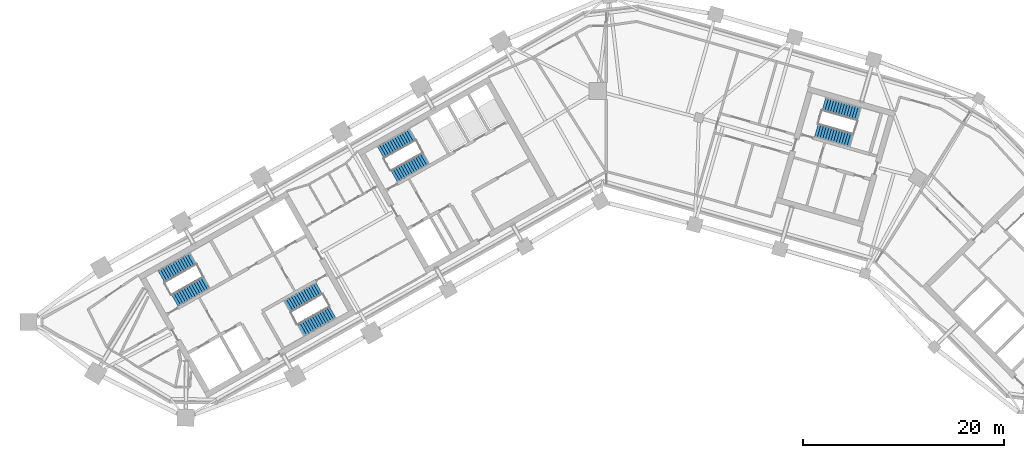
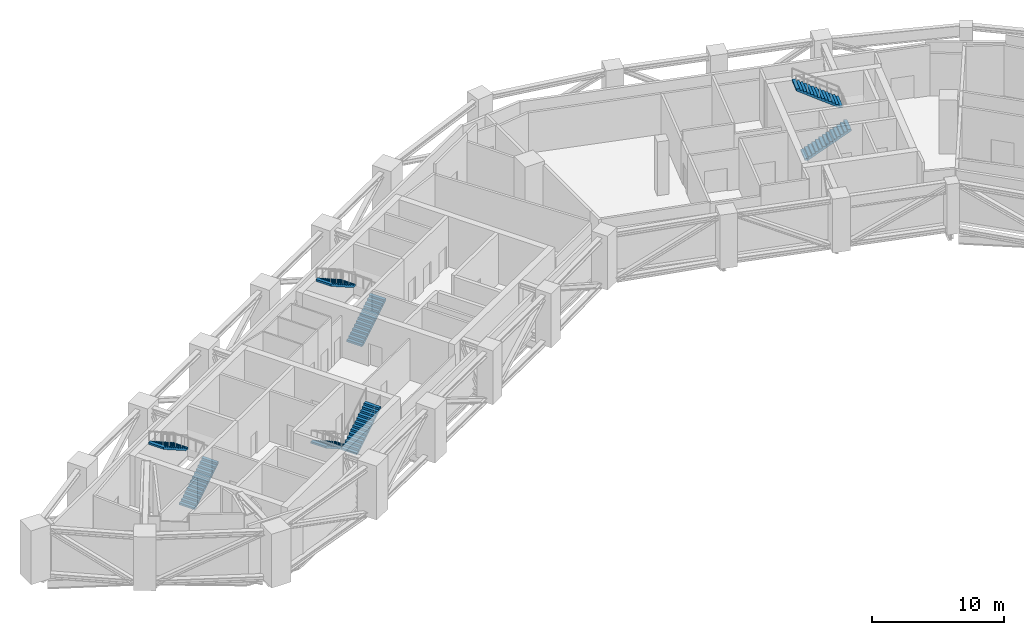
# One storey, part 14 of 16: 8 stair flights, 4 elements without a shape of their own.
"""IFC4 building model written with IfcOpenShell, lengths in metres."""

from ifc_helpers import new_model, si_unit, direction, frame, origin, place, context, subcontext, project, spatial, polyline, outline, extrude, material, type_object, element, aggregate, save


model = new_model("IFC4")

# Units and contexts
model_context = context("Model", 3, precision=1e-05, world=origin(), true_north=direction((0.0, 1.0)))
body_context = subcontext(model_context, "Body", "Model", "MODEL_VIEW")
ifc_project = project(units=[si_unit("LENGTHUNIT", "METRE"), si_unit("AREAUNIT", "SQUARE_METRE"), si_unit("VOLUMEUNIT", "CUBIC_METRE"), si_unit("PLANEANGLEUNIT", "RADIAN"), si_unit("MASSUNIT", "GRAM", prefix="KILO")], contexts=[model_context])

# Site, building, storey
site_placement = place(None, origin())
site = spatial("IfcSite", under=ifc_project, at=site_placement, CompositionType="ELEMENT")
building_placement = place(site_placement, origin())
building = spatial("IfcBuilding", under=site, at=building_placement, Name="Binnacle Exchange Tower", CompositionType="ELEMENT")
storey_placement = place(building_placement, frame((0.0, 0.0, 149.89990234375)))
storey = spatial("IfcBuildingStorey", under=building, at=storey_placement, Name="L31", CompositionType="ELEMENT", Elevation=149.89990234375)

# Stair, stair flights
ifc_material = material(Name="Concrete C35/45", Category="concrete")
stair_type = type_object("IfcStairType", Name="STAIR 28 RISERS 179", PredefinedType="HALF_TURN_STAIR", material=ifc_material)
stair_1_placement = place(storey_placement, origin())
stair_1 = element("IfcStair", 1, at=stair_1_placement, inside=storey, type_object=stair_type, Name="L31 Escape stair A1", PredefinedType="HALF_TURN_STAIR")
stair_flight_type = type_object("IfcStairFlightType", Name="STAIR FLIGHT 179X280", PredefinedType="STRAIGHT", material=ifc_material)
stair_flight_1_placement = place(storey_placement, frame((-42.9541015625, 39.17333984375, 0.0), z_axis=(0.0, 0.0, 1.0), x_axis=(0.870355584213, 0.492423757581, 0.0)))
stair_flight_1 = element("IfcStairFlight", 2, at=stair_flight_1_placement, type_object=stair_flight_type, Name="STA1 flight 1", NumberOfRisers=14, NumberOfTreads=13, PredefinedType="STRAIGHT", RiserHeight=0.178571429, TreadLength=0.28, context=body_context, shape_type="SweptSolid", body=[
    extrude(outline(polyline([(0.0, 0.0), (0.0, 0.178466796875), (0.280029296875, 0.178466796875), (0.280029296875, 0.357177734375), (0.56005859375, 0.357177734375), (0.56005859375, 0.53564453125), (0.840087890625, 0.53564453125), (0.840087890625, 0.71435546875), (1.1201171875, 0.71435546875), (1.1201171875, 0.892822265625), (1.39990234375, 0.892822265625), (1.39990234375, 1.071533203125), (1.679931640625, 1.071533203125), (1.679931640625, 1.25), (1.9599609375, 1.25), (1.9599609375, 1.428466796875), (2.239990234375, 1.428466796875), (2.239990234375, 1.607177734375), (2.52001953125, 1.607177734375), (2.52001953125, 1.78564453125), (2.800048828125, 1.78564453125), (2.800048828125, 1.96435546875), (3.080078125, 1.96435546875), (3.080078125, 2.142822265625), (3.360107421875, 2.142822265625), (3.360107421875, 2.321533203125), (3.639892578125, 2.321533203125), (3.639892578125, 2.5), (3.639892578125, 2.1435546875), (0.27880859375, 0.0), (0.0, 0.0)])), frame((0.0, 0.675048828125, 0.0), z_axis=(0.0, -1.0, 0.0), x_axis=(1.0, 0.0, 0.0)), (0.0, 0.0, 1.0), 1.35009765625),
])
stair_flight_2_placement = place(storey_placement, frame((-41.115478515625, 43.315673828125, 2.5), z_axis=(0.0, 0.0, 1.0), x_axis=(-0.870355584213, -0.492423757581, 0.0)))
stair_flight_2 = element("IfcStairFlight", 3, at=stair_flight_2_placement, type_object=stair_flight_type, Name="STA1 flight 2", NumberOfRisers=14, NumberOfTreads=13, PredefinedType="STRAIGHT", RiserHeight=0.178571429, TreadLength=0.28, context=body_context, shape_type="SweptSolid", body=[
    extrude(outline(polyline([(0.0, 0.0), (0.0, 0.178466796875), (0.280029296875, 0.178466796875), (0.280029296875, 0.357177734375), (0.56005859375, 0.357177734375), (0.56005859375, 0.53564453125), (0.840087890625, 0.53564453125), (0.840087890625, 0.71435546875), (1.1201171875, 0.71435546875), (1.1201171875, 0.892822265625), (1.39990234375, 0.892822265625), (1.39990234375, 1.071533203125), (1.679931640625, 1.071533203125), (1.679931640625, 1.25), (1.9599609375, 1.25), (1.9599609375, 1.428466796875), (2.239990234375, 1.428466796875), (2.239990234375, 1.607177734375), (2.52001953125, 1.607177734375), (2.52001953125, 1.78564453125), (2.800048828125, 1.78564453125), (2.800048828125, 1.96435546875), (3.080078125, 1.96435546875), (3.080078125, 2.142822265625), (3.360107421875, 2.142822265625), (3.360107421875, 2.321533203125), (3.639892578125, 2.321533203125), (3.639892578125, 2.5), (3.639892578125, 2.1435546875), (0.27880859375, 0.0), (0.0, 0.0)])), frame((0.0, 0.675048828125, 0.0), z_axis=(0.0, -1.0, 0.0), x_axis=(1.0, 0.0, 0.0)), (0.0, 0.0, 1.0), 1.35009765625),
])
aggregate(stair_1, [stair_flight_1, stair_flight_2])

stair_2_placement = place(storey_placement, origin())
stair_2 = element("IfcStair", 4, at=stair_2_placement, inside=storey, type_object=stair_type, Name="L31 Escape stair A2", PredefinedType="HALF_TURN_STAIR")
stair_flight_3_placement = place(storey_placement, frame((-28.5732421875, 40.3583984375, 0.0), z_axis=(0.0, 0.0, 1.0), x_axis=(-0.870355584213, -0.492423757581, 0.0)))
stair_flight_3 = element("IfcStairFlight", 5, at=stair_flight_3_placement, type_object=stair_flight_type, Name="STA2 flight 1", NumberOfRisers=14, NumberOfTreads=13, PredefinedType="STRAIGHT", RiserHeight=0.178571429, TreadLength=0.28, context=body_context, shape_type="SweptSolid", body=[
    extrude(outline(polyline([(0.0, 0.0), (0.0, 0.178466796875), (0.280029296875, 0.178466796875), (0.280029296875, 0.357177734375), (0.56005859375, 0.357177734375), (0.56005859375, 0.53564453125), (0.840087890625, 0.53564453125), (0.840087890625, 0.71435546875), (1.1201171875, 0.71435546875), (1.1201171875, 0.892822265625), (1.39990234375, 0.892822265625), (1.39990234375, 1.071533203125), (1.679931640625, 1.071533203125), (1.679931640625, 1.25), (1.9599609375, 1.25), (1.9599609375, 1.428466796875), (2.239990234375, 1.428466796875), (2.239990234375, 1.607177734375), (2.52001953125, 1.607177734375), (2.52001953125, 1.78564453125), (2.800048828125, 1.78564453125), (2.800048828125, 1.96435546875), (3.080078125, 1.96435546875), (3.080078125, 2.142822265625), (3.360107421875, 2.142822265625), (3.360107421875, 2.321533203125), (3.639892578125, 2.321533203125), (3.639892578125, 2.5), (3.639892578125, 2.1435546875), (0.27880859375, 0.0), (0.0, 0.0)])), frame((0.0, 0.675048828125, 0.0), z_axis=(0.0, -1.0, 0.0), x_axis=(1.0, 0.0, 0.0)), (0.0, 0.0, 1.0), 1.35009765625),
])
stair_flight_4_placement = place(storey_placement, frame((-30.411865234375, 36.216064453125, 2.5), z_axis=(0.0, 0.0, 1.0), x_axis=(0.870355584213, 0.492423757581, 0.0)))
stair_flight_4 = element("IfcStairFlight", 6, at=stair_flight_4_placement, type_object=stair_flight_type, Name="STA2 flight 2", NumberOfRisers=14, NumberOfTreads=13, PredefinedType="STRAIGHT", RiserHeight=0.178571429, TreadLength=0.28, context=body_context, shape_type="SweptSolid", body=[
    extrude(outline(polyline([(0.0, 0.0), (0.0, 0.178466796875), (0.280029296875, 0.178466796875), (0.280029296875, 0.357177734375), (0.56005859375, 0.357177734375), (0.56005859375, 0.53564453125), (0.840087890625, 0.53564453125), (0.840087890625, 0.71435546875), (1.1201171875, 0.71435546875), (1.1201171875, 0.892822265625), (1.39990234375, 0.892822265625), (1.39990234375, 1.071533203125), (1.679931640625, 1.071533203125), (1.679931640625, 1.25), (1.9599609375, 1.25), (1.9599609375, 1.428466796875), (2.239990234375, 1.428466796875), (2.239990234375, 1.607177734375), (2.52001953125, 1.607177734375), (2.52001953125, 1.78564453125), (2.800048828125, 1.78564453125), (2.800048828125, 1.96435546875), (3.080078125, 1.96435546875), (3.080078125, 2.142822265625), (3.360107421875, 2.142822265625), (3.360107421875, 2.321533203125), (3.639892578125, 2.321533203125), (3.639892578125, 2.5), (3.639892578125, 2.1435546875), (0.27880859375, 0.0), (0.0, 0.0)])), frame((0.0, 0.675048828125, 0.0), z_axis=(0.0, -1.0, 0.0), x_axis=(1.0, 0.0, 0.0)), (0.0, 0.0, 1.0), 1.35009765625),
])
aggregate(stair_2, [stair_flight_3, stair_flight_4])

stair_3_placement = place(storey_placement, origin())
stair_3 = element("IfcStair", 7, at=stair_3_placement, inside=storey, type_object=stair_type, Name="L31 Escape stair C1", PredefinedType="HALF_TURN_STAIR")
stair_flight_5_placement = place(storey_placement, frame((-21.115966796875, 51.528564453125, 0.0), z_axis=(0.0, 0.0, 1.0), x_axis=(0.870355584213, 0.492423757581, 0.0)))
stair_flight_5 = element("IfcStairFlight", 8, at=stair_flight_5_placement, type_object=stair_flight_type, Name="STC1 flight 1", NumberOfRisers=14, NumberOfTreads=13, PredefinedType="STRAIGHT", RiserHeight=0.178571429, TreadLength=0.28, context=body_context, shape_type="SweptSolid", body=[
    extrude(outline(polyline([(0.0, 0.0), (0.0, 0.178466796875), (0.280029296875, 0.178466796875), (0.280029296875, 0.357177734375), (0.56005859375, 0.357177734375), (0.56005859375, 0.53564453125), (0.840087890625, 0.53564453125), (0.840087890625, 0.71435546875), (1.1201171875, 0.71435546875), (1.1201171875, 0.892822265625), (1.39990234375, 0.892822265625), (1.39990234375, 1.071533203125), (1.679931640625, 1.071533203125), (1.679931640625, 1.25), (1.9599609375, 1.25), (1.9599609375, 1.428466796875), (2.239990234375, 1.428466796875), (2.239990234375, 1.607177734375), (2.52001953125, 1.607177734375), (2.52001953125, 1.78564453125), (2.800048828125, 1.78564453125), (2.800048828125, 1.96435546875), (3.080078125, 1.96435546875), (3.080078125, 2.142822265625), (3.360107421875, 2.142822265625), (3.360107421875, 2.321533203125), (3.639892578125, 2.321533203125), (3.639892578125, 2.5), (3.639892578125, 2.1435546875), (0.27880859375, 0.0), (0.0, 0.0)])), frame((0.0, 0.675048828125, 0.0), z_axis=(0.0, -1.0, 0.0), x_axis=(1.0, 0.0, 0.0)), (0.0, 0.0, 1.0), 1.35009765625),
])
stair_flight_6_placement = place(storey_placement, frame((-19.27734375, 55.671142578125, 2.5), z_axis=(0.0, 0.0, 1.0), x_axis=(-0.870355584213, -0.492423757581, 0.0)))
stair_flight_6 = element("IfcStairFlight", 9, at=stair_flight_6_placement, type_object=stair_flight_type, Name="STC1 flight 2", NumberOfRisers=14, NumberOfTreads=13, PredefinedType="STRAIGHT", RiserHeight=0.178571429, TreadLength=0.28, context=body_context, shape_type="SweptSolid", body=[
    extrude(outline(polyline([(0.0, 0.0), (0.0, 0.178466796875), (0.280029296875, 0.178466796875), (0.280029296875, 0.357177734375), (0.56005859375, 0.357177734375), (0.56005859375, 0.53564453125), (0.840087890625, 0.53564453125), (0.840087890625, 0.71435546875), (1.1201171875, 0.71435546875), (1.1201171875, 0.892822265625), (1.39990234375, 0.892822265625), (1.39990234375, 1.071533203125), (1.679931640625, 1.071533203125), (1.679931640625, 1.25), (1.9599609375, 1.25), (1.9599609375, 1.428466796875), (2.239990234375, 1.428466796875), (2.239990234375, 1.607177734375), (2.52001953125, 1.607177734375), (2.52001953125, 1.78564453125), (2.800048828125, 1.78564453125), (2.800048828125, 1.96435546875), (3.080078125, 1.96435546875), (3.080078125, 2.142822265625), (3.360107421875, 2.142822265625), (3.360107421875, 2.321533203125), (3.639892578125, 2.321533203125), (3.639892578125, 2.5), (3.639892578125, 2.1435546875), (0.27880859375, 0.0), (0.0, 0.0)])), frame((0.0, 0.675048828125, 0.0), z_axis=(0.0, -1.0, 0.0), x_axis=(1.0, 0.0, 0.0)), (0.0, 0.0, 1.0), 1.35009765625),
])
aggregate(stair_3, [stair_flight_5, stair_flight_6])

stair_4_placement = place(storey_placement, origin())
stair_4 = element("IfcStair", 10, at=stair_4_placement, inside=storey, type_object=stair_type, Name="L31 Escape stair D1", PredefinedType="HALF_TURN_STAIR")
stair_flight_7_placement = place(storey_placement, frame((20.914306640625, 56.109619140625, 0.0), z_axis=(0.0, 0.0, 1.0), x_axis=(0.961261811397, -0.275636953165, 0.0)))
stair_flight_7 = element("IfcStairFlight", 11, at=stair_flight_7_placement, type_object=stair_flight_type, Name="STD1 flight 1", NumberOfRisers=14, NumberOfTreads=13, PredefinedType="STRAIGHT", RiserHeight=0.178571429, TreadLength=0.28, context=body_context, shape_type="SweptSolid", body=[
    extrude(outline(polyline([(0.0, 0.0), (0.0, 0.178466796875), (0.280029296875, 0.178466796875), (0.280029296875, 0.357177734375), (0.56005859375, 0.357177734375), (0.56005859375, 0.53564453125), (0.840087890625, 0.53564453125), (0.840087890625, 0.71435546875), (1.1201171875, 0.71435546875), (1.1201171875, 0.892822265625), (1.39990234375, 0.892822265625), (1.39990234375, 1.071533203125), (1.679931640625, 1.071533203125), (1.679931640625, 1.25), (1.9599609375, 1.25), (1.9599609375, 1.428466796875), (2.239990234375, 1.428466796875), (2.239990234375, 1.607177734375), (2.52001953125, 1.607177734375), (2.52001953125, 1.78564453125), (2.800048828125, 1.78564453125), (2.800048828125, 1.96435546875), (3.080078125, 1.96435546875), (3.080078125, 2.142822265625), (3.360107421875, 2.142822265625), (3.360107421875, 2.321533203125), (3.639892578125, 2.321533203125), (3.639892578125, 2.5), (3.639892578125, 2.1435546875), (0.27880859375, 0.0), (0.0, 0.0)])), frame((0.0, 0.675048828125, 0.0), z_axis=(0.0, -1.0, 0.0), x_axis=(1.0, 0.0, 0.0)), (0.0, 0.0, 1.0), 1.35009765625),
])
stair_flight_8_placement = place(storey_placement, frame((25.157470703125, 57.70166015625, 2.5), z_axis=(0.0, 0.0, 1.0), x_axis=(-0.961261811397, 0.275636953165, 0.0)))
stair_flight_8 = element("IfcStairFlight", 12, at=stair_flight_8_placement, type_object=stair_flight_type, Name="STD1 flight 2", NumberOfRisers=14, NumberOfTreads=13, PredefinedType="STRAIGHT", RiserHeight=0.178571429, TreadLength=0.28, context=body_context, shape_type="SweptSolid", body=[
    extrude(outline(polyline([(0.0, 0.0), (0.0, 0.178466796875), (0.280029296875, 0.178466796875), (0.280029296875, 0.357177734375), (0.56005859375, 0.357177734375), (0.56005859375, 0.53564453125), (0.840087890625, 0.53564453125), (0.840087890625, 0.71435546875), (1.1201171875, 0.71435546875), (1.1201171875, 0.892822265625), (1.39990234375, 0.892822265625), (1.39990234375, 1.071533203125), (1.679931640625, 1.071533203125), (1.679931640625, 1.25), (1.9599609375, 1.25), (1.9599609375, 1.428466796875), (2.239990234375, 1.428466796875), (2.239990234375, 1.607177734375), (2.52001953125, 1.607177734375), (2.52001953125, 1.78564453125), (2.800048828125, 1.78564453125), (2.800048828125, 1.96435546875), (3.080078125, 1.96435546875), (3.080078125, 2.142822265625), (3.360107421875, 2.142822265625), (3.360107421875, 2.321533203125), (3.639892578125, 2.321533203125), (3.639892578125, 2.5), (3.639892578125, 2.1435546875), (0.27880859375, 0.0), (0.0, 0.0)])), frame((0.0, 0.675048828125, 0.0), z_axis=(0.0, -1.0, 0.0), x_axis=(1.0, 0.0, 0.0)), (0.0, 0.0, 1.0), 1.35009765625),
])
aggregate(stair_4, [stair_flight_7, stair_flight_8])

save(model, "model.ifc")
